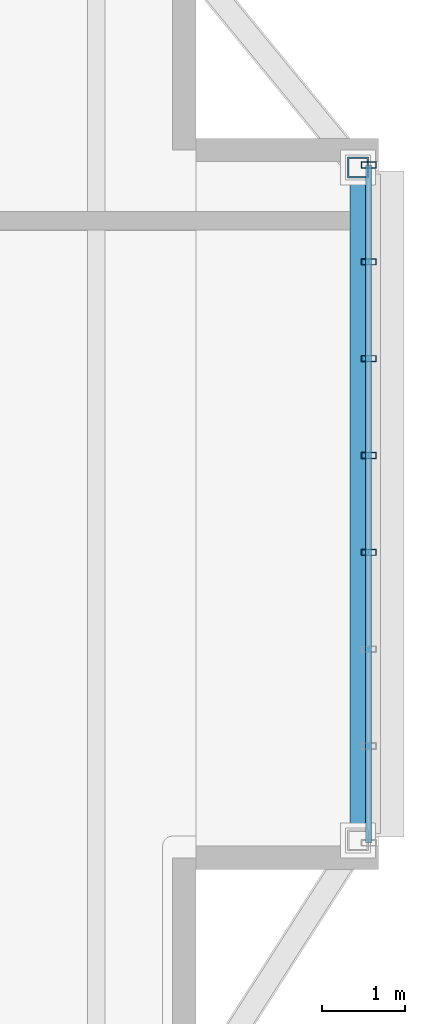
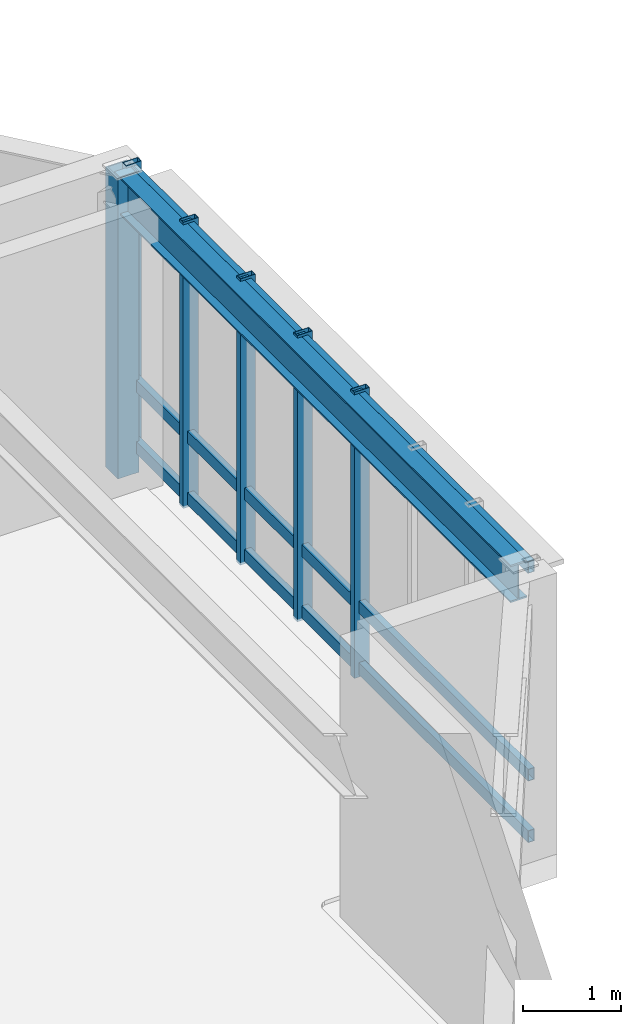
# One storey, part 9 of 18: 9 members, 1 beam, 1 element without a shape of its own.
"""IFC4 building model written with IfcOpenShell, lengths in metres."""

from ifc_helpers import new_model, si_unit, direction, frame, origin, origin_2d, place, context, subcontext, project, spatial, hollow_rectangle, i_section, extrude, material, material_profile, profile_set, type_object, element, aggregate, save


model = new_model("IFC4")

# Units and contexts
model_context = context("Model", 3, precision=1e-05, world=origin(), true_north=direction((0.0, 1.0)))
body_context = subcontext(model_context, "Body", "Model", "MODEL_VIEW")
ifc_project = project(units=[si_unit("LENGTHUNIT", "METRE"), si_unit("AREAUNIT", "SQUARE_METRE"), si_unit("VOLUMEUNIT", "CUBIC_METRE"), si_unit("PLANEANGLEUNIT", "RADIAN"), si_unit("MASSUNIT", "GRAM", prefix="KILO")], contexts=[model_context])

# Site, building, storey
site_placement = place(None, origin())
site = spatial("IfcSite", under=ifc_project, at=site_placement, CompositionType="ELEMENT")
building_placement = place(site_placement, origin())
building = spatial("IfcBuilding", under=site, at=building_placement, Name="Zulverin Broadcast Headquarters", CompositionType="ELEMENT")
storey_placement = place(building_placement, frame((0.0, 0.0, 225.0)))
storey = spatial("IfcBuildingStorey", under=building, at=storey_placement, Name="L57", CompositionType="ELEMENT", Elevation=225.0)

# Beam
ifc_material_1 = material(Name="Structural steel S355JR", Category="steel")
ifc_material_profile_1 = material_profile(ifc_material_1, i_section(OverallWidth=0.19287109375, OverallDepth=0.46728515625, WebThickness=0.011474609375, FlangeThickness=0.01953125, at=origin_2d()), Name="Structural steel S355JR", Category="steel")
ifc_profile_set_1 = profile_set([ifc_material_profile_1], Name="Structural steel S355JR")
beam_type = type_object("IfcBeamType", Name="BM-UB-457", PredefinedType="JOIST", material=ifc_profile_set_1)
beam_placement = place(storey_placement, frame((67.449951171875, 22.340087890625, 3.2763671875), z_axis=(0.0, 1.0, 0.0), x_axis=(-1.0, 0.0, 0.0)))
element("IfcBeam", 1, at=beam_placement, inside=storey, type_object=beam_type, Name="L57 Studio Box Edge Beam SBOX_SKY2_E", PredefinedType="JOIST", context=body_context, shape_type="SweptSolid", body=[
    extrude(i_section(OverallWidth=0.19287109375, OverallDepth=0.46728515625, WebThickness=0.011474609375, FlangeThickness=0.01953125, at=origin_2d()), origin(), (0.0, 0.0, 1.0), 8.099853515625),
])

# Curtain wall, members
ifc_material_2 = material(Name="Acoustic triple-glazed studio box curtain wall", Category="aluminium")
curtain_wall_type = type_object("IfcCurtainWallType", Name="CW-SBOX", PredefinedType="USERDEFINED", material=ifc_material_2)
curtain_wall_placement = place(storey_placement, origin())
curtain_wall = element("IfcCurtainWall", 2, at=curtain_wall_placement, inside=storey, type_object=curtain_wall_type, Name="L57 Unitised Curtain Wall CW-L57-SBOX_SKY2_E-F", ObjectType="UNITISED CURTAIN WALL", PredefinedType="USERDEFINED")
ifc_material_3 = material(Name="Anodized pale-metal aluminium alloy 6063-T6", Category="aluminium")
ifc_material_profile_2 = material_profile(ifc_material_3, hollow_rectangle(XDim=0.074951171875, YDim=0.179931640625, WallThickness=0.0048828125, at=origin_2d()), Name="Anodized pale-metal aluminium alloy 6063-T6", Category="aluminium")
ifc_profile_set_2 = profile_set([ifc_material_profile_2], Name="Anodized pale-metal aluminium alloy 6063-T6")
member_type_1 = type_object("IfcMemberType", Name="CW-MUL-180", PredefinedType="MULLION", material=ifc_profile_set_2)
member_1_placement = place(storey_placement, frame((67.580078125, 25.80712890625, -0.030029296875), z_axis=(0.0, 0.0, 1.0), x_axis=(0.0, 1.0, 0.0)))
member_1 = element("IfcMember", 3, at=member_1_placement, type_object=member_type_1, Name="CW-L57-SBOX_SKY2_E-F Mullion 03", PredefinedType="MULLION", context=body_context, shape_type="SweptSolid", body=[
    extrude(hollow_rectangle(XDim=0.074951171875, YDim=0.179931640625, WallThickness=0.0048828125, at=origin_2d()), origin(), (0.0, 0.0, 1.0), 3.570068359375),
])
member_2_placement = place(storey_placement, frame((67.580078125, 26.972900390625, -0.030029296875), z_axis=(0.0, 0.0, 1.0), x_axis=(0.0, 1.0, 0.0)))
member_2 = element("IfcMember", 4, at=member_2_placement, type_object=member_type_1, Name="CW-L57-SBOX_SKY2_E-F Mullion 04", PredefinedType="MULLION", context=body_context, shape_type="SweptSolid", body=[
    extrude(hollow_rectangle(XDim=0.074951171875, YDim=0.179931640625, WallThickness=0.0048828125, at=origin_2d()), origin(), (0.0, 0.0, 1.0), 3.570068359375),
])
member_3_placement = place(storey_placement, frame((67.580078125, 28.138671875, -0.030029296875), z_axis=(0.0, 0.0, 1.0), x_axis=(0.0, 1.0, 0.0)))
member_3 = element("IfcMember", 5, at=member_3_placement, type_object=member_type_1, Name="CW-L57-SBOX_SKY2_E-F Mullion 05", PredefinedType="MULLION", context=body_context, shape_type="SweptSolid", body=[
    extrude(hollow_rectangle(XDim=0.074951171875, YDim=0.179931640625, WallThickness=0.0048828125, at=origin_2d()), origin(), (0.0, 0.0, 1.0), 3.570068359375),
])
member_4_placement = place(storey_placement, frame((67.580078125, 29.30419921875, -0.030029296875), z_axis=(0.0, 0.0, 1.0), x_axis=(0.0, 1.0, 0.0)))
member_4 = element("IfcMember", 6, at=member_4_placement, type_object=member_type_1, Name="CW-L57-SBOX_SKY2_E-F Mullion 06", PredefinedType="MULLION", context=body_context, shape_type="SweptSolid", body=[
    extrude(hollow_rectangle(XDim=0.074951171875, YDim=0.179931640625, WallThickness=0.0048828125, at=origin_2d()), origin(), (0.0, 0.0, 1.0), 3.570068359375),
])
member_5_placement = place(storey_placement, frame((67.580078125, 30.469970703125, -0.030029296875), z_axis=(0.0, 0.0, 1.0), x_axis=(0.0, 1.0, 0.0)))
member_5 = element("IfcMember", 7, at=member_5_placement, type_object=member_type_1, Name="CW-L57-SBOX_SKY2_E-F Mullion 07", PredefinedType="MULLION", context=body_context, shape_type="SweptSolid", body=[
    extrude(hollow_rectangle(XDim=0.074951171875, YDim=0.179931640625, WallThickness=0.0048828125, at=origin_2d()), origin(), (0.0, 0.0, 1.0), 3.570068359375),
])
ifc_material_profile_3 = material_profile(ifc_material_3, hollow_rectangle(XDim=0.074951171875, YDim=0.14990234375, WallThickness=0.0048828125, at=origin_2d()), Name="Anodized pale-metal aluminium alloy 6063-T6", Category="aluminium")
ifc_profile_set_3 = profile_set([ifc_material_profile_3], Name="Anodized pale-metal aluminium alloy 6063-T6")
member_type_2 = type_object("IfcMemberType", Name="CW-TRN-150", PredefinedType="USERDEFINED", material=ifc_profile_set_3)
member_6_placement = place(storey_placement, frame((67.580078125, 22.31005859375, 0.074951171875), z_axis=(0.0, 1.0, 0.0), x_axis=(-1.0, 0.0, 0.0)))
member_6 = element("IfcMember", 8, at=member_6_placement, type_object=member_type_2, Name="CW-L57-SBOX_SKY2_E-F Transom 0", ObjectType="TRANSOM", PredefinedType="USERDEFINED", context=body_context, shape_type="SweptSolid", body=[
    extrude(hollow_rectangle(XDim=0.074951171875, YDim=0.14990234375, WallThickness=0.0048828125, at=origin_2d()), origin(), (0.0, 0.0, 1.0), 8.159912109375),
])
member_7_placement = place(storey_placement, frame((67.580078125, 22.31005859375, 0.84228515625), z_axis=(0.0, 1.0, 0.0), x_axis=(-1.0, 0.0, 0.0)))
member_7 = element("IfcMember", 9, at=member_7_placement, type_object=member_type_2, Name="CW-L57-SBOX_SKY2_E-F Transom 1", ObjectType="TRANSOM", PredefinedType="USERDEFINED", context=body_context, shape_type="SweptSolid", body=[
    extrude(hollow_rectangle(XDim=0.074951171875, YDim=0.14990234375, WallThickness=0.0048828125, at=origin_2d()), origin(), (0.0, 0.0, 1.0), 8.159912109375),
])
member_8_placement = place(storey_placement, frame((67.580078125, 22.31005859375, 3.43505859375), z_axis=(0.0, 1.0, 0.0), x_axis=(-1.0, 0.0, 0.0)))
member_8 = element("IfcMember", 10, at=member_8_placement, type_object=member_type_2, Name="CW-L57-SBOX_SKY2_E-F Transom 2", ObjectType="TRANSOM", PredefinedType="USERDEFINED", context=body_context, shape_type="SweptSolid", body=[
    extrude(hollow_rectangle(XDim=0.074951171875, YDim=0.14990234375, WallThickness=0.0048828125, at=origin_2d()), origin(), (0.0, 0.0, 1.0), 8.159912109375),
])
aggregate(curtain_wall, [member_1, member_2, member_3, member_4, member_5, member_6, member_7, member_8])

# Member
ifc_material_profile_4 = material_profile(ifc_material_1, hollow_rectangle(XDim=0.25, YDim=0.25, WallThickness=0.01611328125, at=origin_2d()), Name="Structural steel S355JR", Category="steel")
ifc_profile_set_4 = profile_set([ifc_material_profile_4], Name="Structural steel S355JR")
member_type_3 = type_object("IfcMemberType", Name="MBR-BLT-POST", PredefinedType="POST", material=ifc_profile_set_4)
member_9_placement = place(storey_placement, frame((67.449951171875, 30.43994140625, -0.239990234375), z_axis=(0.0, 0.0, 1.0), x_axis=(1.0, 0.0, 0.0)))
element("IfcMember", 11, at=member_9_placement, inside=storey, type_object=member_type_3, Name="L57 Shifted Studio Box Frame Post SBOX_SKY2_E-2", PredefinedType="POST", context=body_context, shape_type="SweptSolid", body=[
    extrude(hollow_rectangle(XDim=0.25, YDim=0.25, WallThickness=0.01611328125, at=origin_2d()), origin(), (0.0, 0.0, 1.0), 3.75),
])

save(model, "model.ifc")
